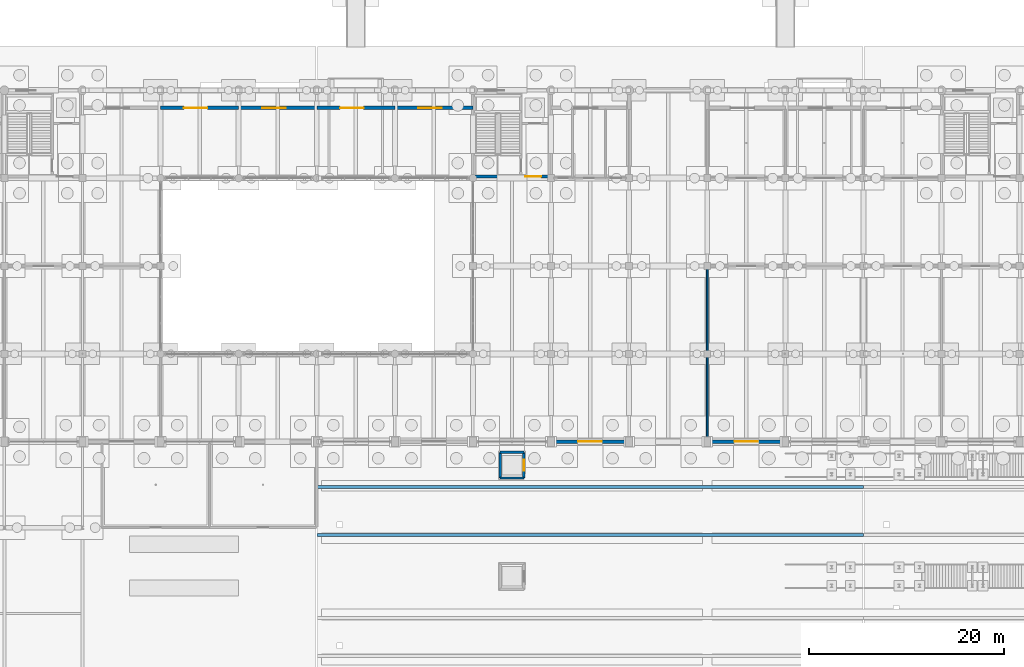
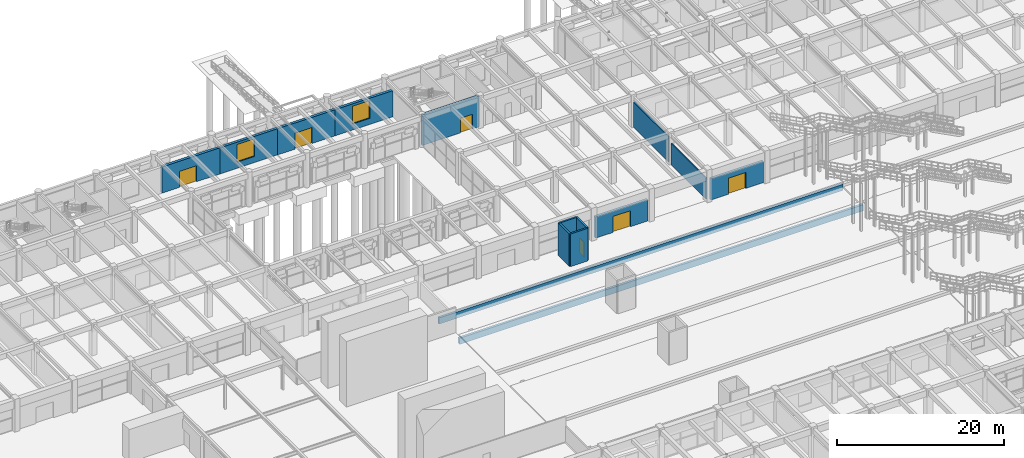
# One storey, part 107 of 147: 15 walls, 6 doors, 2 windows, 8 openings.
"""IFC4 building model written with IfcOpenShell, lengths in metres."""

from ifc_helpers import new_model, si_unit, direction, frame, frame_2d, origin, place, context, subcontext, project, spatial, rectangle, extrude, material, layer, layer_set, type_object, element, fill, save


model = new_model("IFC4")

# Units and contexts
model_context = context("Model", 3, precision=1e-05, world=origin(), true_north=direction((0.0, 1.0)))
body_context = subcontext(model_context, "Body", "Model", "MODEL_VIEW")
ifc_project = project(units=[si_unit("LENGTHUNIT", "METRE"), si_unit("AREAUNIT", "SQUARE_METRE"), si_unit("VOLUMEUNIT", "CUBIC_METRE"), si_unit("PLANEANGLEUNIT", "RADIAN"), si_unit("MASSUNIT", "GRAM", prefix="KILO")], contexts=[model_context])

# Site, building, storey
site_placement = place(None, origin())
site = spatial("IfcSite", under=ifc_project, at=site_placement, CompositionType="ELEMENT")
building_placement = place(site_placement, origin())
building = spatial("IfcBuilding", under=site, at=building_placement, Name="Varnabhumi Central Station", CompositionType="ELEMENT")
storey_placement = place(building_placement, origin())
storey = spatial("IfcBuildingStorey", under=building, at=storey_placement, Name="L00", CompositionType="ELEMENT", Elevation=0.0)

# Wall, opening, door
ifc_material_1 = material(Name="Concrete M40", Category="concrete")
ifc_layer_1 = layer(ifc_material_1, 0.300048828125, Name="Concrete M40", Category="concrete")
ifc_layer_set_1 = layer_set([ifc_layer_1], Name="Concrete M40")
wall_type_1 = type_object("IfcWallType", Name="WAL-CORE-RC-300", PredefinedType="SHEAR", material=ifc_layer_set_1)
wall_1_placement = place(storey_placement, frame((80.030029296875, 107.179931640625, 0.0), z_axis=(0.0, 0.0, 1.0), x_axis=(1.0, 0.0, 0.0)))
wall_1 = element("IfcWall", 1, at=wall_1_placement, inside=storey, type_object=wall_type_1, Name="NC2 L00 Corridor Shear Wall", PredefinedType="SHEAR", context=body_context, shape_type="SweptSolid", body=[
    extrude(rectangle(XDim=7.93994140625, YDim=0.300048828125, at=frame_2d((3.969970703125, 0.0))), origin(), (0.0, 0.0, 1.0), 4.52001953125),
])
opening_1_placement = place(wall_1_placement, frame((5.35009765625, 0.0, 0.0)))
opening_1 = element("IfcOpeningElement", 2, at=opening_1_placement, cuts=wall_1, Name="Opening FD-60D", PredefinedType="OPENING", context=body_context, shape_type="SweptSolid", body=[
    extrude(rectangle(XDim=1.60009765625, YDim=2.14990234375, at=frame_2d((0.800048828125, 1.074951171875))), frame((0.0, 0.159912109375, 0.0), z_axis=(0.0, -1.0, 0.0), x_axis=(1.0, 0.0, 0.0)), (0.0, 0.0, 1.0), 0.320068359375),
])
ifc_material_2 = material(Name="Intumescent-treated hardwood timber", Category="wood")
door_type_1 = type_object("IfcDoorType", Name="DR-FIRE-60-1600", OperationType="NOTDEFINED", PredefinedType="DOOR", material=ifc_material_2)
door_1_placement = place(opening_1_placement, frame((1.60009765625, 0.0, 0.0), z_axis=(0.0, 0.0, 1.0), x_axis=(-1.0, 0.0, 0.0)))
door_1 = element("IfcDoor", 3, at=door_1_placement, inside=storey, type_object=door_type_1, Name="NC2 L00 Lobby Fire Door", OperationType="DOUBLE_DOOR_SINGLE_SWING", OverallHeight=2.14990234375, OverallWidth=1.60009765625, PredefinedType="DOOR", context=body_context, shape_type="SweptSolid", body=[
    extrude(rectangle(XDim=1.60009765625, YDim=2.14990234375, at=frame_2d((0.800048828125, 1.074951171875))), frame((0.0, 0.02490234375, 0.0), z_axis=(0.0, -1.0, 0.0), x_axis=(1.0, 0.0, 0.0)), (0.0, 0.0, 1.0), 0.050048828125),
])
fill(opening_1, door_1)

ifc_material_3 = material(Name="Chunar sandstone masonry", Category="masonry")
ifc_layer_2 = layer(ifc_material_3, 0.360107421875, Name="Chunar sandstone masonry", Category="masonry")
ifc_layer_set_2 = layer_set([ifc_layer_2], Name="Chunar sandstone masonry")
wall_type_2 = type_object("IfcWallType", Name="WAL-EXT-SANDSTONE-360", PredefinedType="SOLIDWALL", material=ifc_layer_set_2)
wall_2_placement = place(storey_placement, frame((48.0, 114.199951171875, 0.0), z_axis=(0.0, 0.0, 1.0), x_axis=(1.0, 0.0, 0.0)))
wall_2 = element("IfcWall", 4, at=wall_2_placement, inside=storey, type_object=wall_type_2, Name="North Boulevard Wall L00-7", PredefinedType="SOLIDWALL", context=body_context, shape_type="SweptSolid", body=[
    extrude(rectangle(XDim=8.0, YDim=0.360107421875, at=frame_2d((4.0, 0.0))), origin(), (0.0, 0.0, 1.0), 3.840087890625),
])
opening_2_placement = place(wall_2_placement, frame((2.39990234375, 0.0, 0.0)))
opening_2 = element("IfcOpeningElement", 5, at=opening_2_placement, cuts=wall_2, Name="Opening ED-1", PredefinedType="OPENING", context=body_context, shape_type="SweptSolid", body=[
    extrude(rectangle(XDim=2.39990234375, YDim=2.35009765625, at=frame_2d((1.199951171875, 1.175048828125))), frame((0.0, 0.18994140625, 0.0), z_axis=(0.0, -1.0, 0.0), x_axis=(1.0, 0.0, 0.0)), (0.0, 0.0, 1.0), 0.380126953125),
])
ifc_material_4 = material(Name="Anodised aluminium 6063-T6", Category="aluminium")
door_type_2 = type_object("IfcDoorType", Name="DR-EXT-PORTAL-2400", OperationType="NOTDEFINED", PredefinedType="DOOR", material=ifc_material_4)
door_2_placement = place(opening_2_placement, origin())
door_2 = element("IfcDoor", 6, at=door_2_placement, inside=storey, type_object=door_type_2, Name="North Boulevard Portal Entrance 7", OperationType="DOUBLE_DOOR_SINGLE_SWING", OverallHeight=2.35009765625, OverallWidth=2.39990234375, PredefinedType="DOOR", context=body_context, shape_type="SweptSolid", body=[
    extrude(rectangle(XDim=2.39990234375, YDim=2.35009765625, at=frame_2d((1.199951171875, 1.175048828125))), frame((0.0, 0.02490234375, 0.0), z_axis=(0.0, -1.0, 0.0), x_axis=(1.0, 0.0, 0.0)), (0.0, 0.0, 1.0), 0.050048828125),
])
fill(opening_2, door_2)

# Wall, opening, window
wall_3_placement = place(storey_placement, frame((56.0, 114.199951171875, 0.0), z_axis=(0.0, 0.0, 1.0), x_axis=(1.0, 0.0, 0.0)))
wall_3 = element("IfcWall", 7, at=wall_3_placement, inside=storey, type_object=wall_type_2, Name="North Boulevard Wall L00-8", PredefinedType="SOLIDWALL", context=body_context, shape_type="SweptSolid", body=[
    extrude(rectangle(XDim=8.0, YDim=0.360107421875, at=frame_2d((4.0, 0.0))), origin(), (0.0, 0.0, 1.0), 3.840087890625),
])
opening_3_placement = place(wall_3_placement, frame((2.39990234375, 0.0, 0.89990234375)))
opening_3 = element("IfcOpeningElement", 8, at=opening_3_placement, cuts=wall_3, Name="Opening W-01", PredefinedType="OPENING", context=body_context, shape_type="SweptSolid", body=[
    extrude(rectangle(XDim=2.39990234375, YDim=2.60009765625, at=frame_2d((1.199951171875, 1.300048828125))), frame((0.0, 0.18994140625, 0.0), z_axis=(0.0, -1.0, 0.0), x_axis=(1.0, 0.0, 0.0)), (0.0, 0.0, 1.0), 0.380126953125),
])
ifc_material_5 = material(Name="Laminated low-E double glazing", Category="glass")
window_type = type_object("IfcWindowType", Name="WIN-ARCADE-2400x2600", PartitioningType="DOUBLE_PANEL_VERTICAL", PredefinedType="WINDOW", material=ifc_material_5)
window_1_placement = place(opening_3_placement, origin())
window_1 = element("IfcWindow", 9, at=window_1_placement, inside=storey, type_object=window_type, Name="North Arcade Window L00-8", OverallHeight=2.60009765625, OverallWidth=2.39990234375, PartitioningType="SINGLE_PANEL", PredefinedType="WINDOW", context=body_context, shape_type="SweptSolid", body=[
    extrude(rectangle(XDim=2.39990234375, YDim=2.60009765625, at=frame_2d((1.199951171875, 1.300048828125))), frame((0.0, 0.030029296875, 0.0), z_axis=(0.0, -1.0, 0.0), x_axis=(1.0, 0.0, 0.0)), (0.0, 0.0, 1.0), 0.06005859375),
])
fill(opening_3, window_1)

# Wall, opening, door
wall_4_placement = place(storey_placement, frame((64.0, 114.199951171875, 0.0), z_axis=(0.0, 0.0, 1.0), x_axis=(1.0, 0.0, 0.0)))
wall_4 = element("IfcWall", 10, at=wall_4_placement, inside=storey, type_object=wall_type_2, Name="North Boulevard Wall L00-9", PredefinedType="SOLIDWALL", context=body_context, shape_type="SweptSolid", body=[
    extrude(rectangle(XDim=8.0, YDim=0.360107421875, at=frame_2d((4.0, 0.0))), origin(), (0.0, 0.0, 1.0), 3.840087890625),
])
opening_4_placement = place(wall_4_placement, frame((2.39990234375, 0.0, 0.0)))
opening_4 = element("IfcOpeningElement", 11, at=opening_4_placement, cuts=wall_4, Name="Opening ED-1", PredefinedType="OPENING", context=body_context, shape_type="SweptSolid", body=[
    extrude(rectangle(XDim=2.39990234375, YDim=2.35009765625, at=frame_2d((1.199951171875, 1.175048828125))), frame((0.0, 0.18994140625, 0.0), z_axis=(0.0, -1.0, 0.0), x_axis=(1.0, 0.0, 0.0)), (0.0, 0.0, 1.0), 0.380126953125),
])
door_3_placement = place(opening_4_placement, origin())
door_3 = element("IfcDoor", 12, at=door_3_placement, inside=storey, type_object=door_type_2, Name="North Boulevard Portal Entrance 9", OperationType="DOUBLE_DOOR_SINGLE_SWING", OverallHeight=2.35009765625, OverallWidth=2.39990234375, PredefinedType="DOOR", context=body_context, shape_type="SweptSolid", body=[
    extrude(rectangle(XDim=2.39990234375, YDim=2.35009765625, at=frame_2d((1.199951171875, 1.175048828125))), frame((0.0, 0.02490234375, 0.0), z_axis=(0.0, -1.0, 0.0), x_axis=(1.0, 0.0, 0.0)), (0.0, 0.0, 1.0), 0.050048828125),
])
fill(opening_4, door_3)

# Wall, opening, window
wall_5_placement = place(storey_placement, frame((72.0, 114.199951171875, 0.0), z_axis=(0.0, 0.0, 1.0), x_axis=(1.0, 0.0, 0.0)))
wall_5 = element("IfcWall", 13, at=wall_5_placement, inside=storey, type_object=wall_type_2, Name="North Boulevard Wall L00-10", PredefinedType="SOLIDWALL", context=body_context, shape_type="SweptSolid", body=[
    extrude(rectangle(XDim=8.0, YDim=0.360107421875, at=frame_2d((4.0, 0.0))), origin(), (0.0, 0.0, 1.0), 3.840087890625),
])
opening_5_placement = place(wall_5_placement, frame((2.39990234375, 0.0, 0.89990234375)))
opening_5 = element("IfcOpeningElement", 14, at=opening_5_placement, cuts=wall_5, Name="Opening W-01", PredefinedType="OPENING", context=body_context, shape_type="SweptSolid", body=[
    extrude(rectangle(XDim=2.39990234375, YDim=2.60009765625, at=frame_2d((1.199951171875, 1.300048828125))), frame((0.0, 0.18994140625, 0.0), z_axis=(0.0, -1.0, 0.0), x_axis=(1.0, 0.0, 0.0)), (0.0, 0.0, 1.0), 0.380126953125),
])
window_2_placement = place(opening_5_placement, origin())
window_2 = element("IfcWindow", 15, at=window_2_placement, inside=storey, type_object=window_type, Name="North Arcade Window L00-10", OverallHeight=2.60009765625, OverallWidth=2.39990234375, PartitioningType="SINGLE_PANEL", PredefinedType="WINDOW", context=body_context, shape_type="SweptSolid", body=[
    extrude(rectangle(XDim=2.39990234375, YDim=2.60009765625, at=frame_2d((1.199951171875, 1.300048828125))), frame((0.0, 0.030029296875, 0.0), z_axis=(0.0, -1.0, 0.0), x_axis=(1.0, 0.0, 0.0)), (0.0, 0.0, 1.0), 0.06005859375),
])
fill(opening_5, window_2)

# Wall, opening, door
wall_6_placement = place(storey_placement, frame((88.344970703125, 80.0, 0.0), z_axis=(0.0, 0.0, 1.0), x_axis=(1.0, 0.0, 0.0)))
wall_6 = element("IfcWall", 16, at=wall_6_placement, inside=storey, type_object=wall_type_2, Name="North Spine Wall L00-12", PredefinedType="SOLIDWALL", context=body_context, shape_type="SweptSolid", body=[
    extrude(rectangle(XDim=7.31005859375, YDim=0.360107421875, at=frame_2d((3.655029296875, 0.0))), origin(), (0.0, 0.0, 1.0), 3.110107421875),
])
opening_6_placement = place(wall_6_placement, frame((2.455078125, 0.0, 0.0)))
opening_6 = element("IfcOpeningElement", 17, at=opening_6_placement, cuts=wall_6, Name="Opening ED-1", PredefinedType="OPENING", context=body_context, shape_type="SweptSolid", body=[
    extrude(rectangle(XDim=2.39990234375, YDim=2.35009765625, at=frame_2d((1.199951171875, 1.175048828125))), frame((0.0, 0.18994140625, 0.0), z_axis=(0.0, -1.0, 0.0), x_axis=(1.0, 0.0, 0.0)), (0.0, 0.0, 1.0), 0.380126953125),
])
door_4_placement = place(opening_6_placement, frame((2.39990234375, 0.0, 0.0), z_axis=(0.0, 0.0, 1.0), x_axis=(-1.0, 0.0, 0.0)))
door_4 = element("IfcDoor", 18, at=door_4_placement, inside=storey, type_object=door_type_2, Name="North Spine Portal Door L00-12", OperationType="DOUBLE_DOOR_SINGLE_SWING", OverallHeight=2.35009765625, OverallWidth=2.39990234375, PredefinedType="DOOR", context=body_context, shape_type="SweptSolid", body=[
    extrude(rectangle(XDim=2.39990234375, YDim=2.35009765625, at=frame_2d((1.199951171875, 1.175048828125))), frame((0.0, 0.02490234375, 0.0), z_axis=(0.0, -1.0, 0.0), x_axis=(1.0, 0.0, 0.0)), (0.0, 0.0, 1.0), 0.050048828125),
])
fill(opening_6, door_4)

wall_7_placement = place(storey_placement, frame((104.344970703125, 80.0, 0.0), z_axis=(0.0, 0.0, 1.0), x_axis=(1.0, 0.0, 0.0)))
wall_7 = element("IfcWall", 19, at=wall_7_placement, inside=storey, type_object=wall_type_2, Name="North Spine Wall L00-14", PredefinedType="SOLIDWALL", context=body_context, shape_type="SweptSolid", body=[
    extrude(rectangle(XDim=7.31005859375, YDim=0.360107421875, at=frame_2d((3.655029296875, 0.0))), origin(), (0.0, 0.0, 1.0), 3.110107421875),
])
opening_7_placement = place(wall_7_placement, frame((2.455078125, 0.0, 0.0)))
opening_7 = element("IfcOpeningElement", 20, at=opening_7_placement, cuts=wall_7, Name="Opening ED-1", PredefinedType="OPENING", context=body_context, shape_type="SweptSolid", body=[
    extrude(rectangle(XDim=2.39990234375, YDim=2.35009765625, at=frame_2d((1.199951171875, 1.175048828125))), frame((0.0, 0.18994140625, 0.0), z_axis=(0.0, -1.0, 0.0), x_axis=(1.0, 0.0, 0.0)), (0.0, 0.0, 1.0), 0.380126953125),
])
door_5_placement = place(opening_7_placement, frame((2.39990234375, 0.0, 0.0), z_axis=(0.0, 0.0, 1.0), x_axis=(-1.0, 0.0, 0.0)))
door_5 = element("IfcDoor", 21, at=door_5_placement, inside=storey, type_object=door_type_2, Name="North Spine Portal Door L00-14", OperationType="DOUBLE_DOOR_SINGLE_SWING", OverallHeight=2.35009765625, OverallWidth=2.39990234375, PredefinedType="DOOR", context=body_context, shape_type="SweptSolid", body=[
    extrude(rectangle(XDim=2.39990234375, YDim=2.35009765625, at=frame_2d((1.199951171875, 1.175048828125))), frame((0.0, 0.02490234375, 0.0), z_axis=(0.0, -1.0, 0.0), x_axis=(1.0, 0.0, 0.0)), (0.0, 0.0, 1.0), 0.050048828125),
])
fill(opening_7, door_5)

# Walls
ifc_material_6 = material(Name="Autoclaved aerated blockwork masonry", Category="masonry")
ifc_layer_3 = layer(ifc_material_6, 0.159912109375, Name="Autoclaved aerated blockwork masonry", Category="masonry")
ifc_layer_set_3 = layer_set([ifc_layer_3], Name="Autoclaved aerated blockwork masonry")
wall_type_3 = type_object("IfcWallType", Name="WAL-PART-AAC-160", PredefinedType="PARTITIONING", material=ifc_layer_set_3)
wall_8_placement = place(storey_placement, frame((104.0, 80.300048828125, 0.0), z_axis=(0.0, 0.0, 1.0), x_axis=(0.0, 1.0, 0.0)))
element("IfcWall", 22, at=wall_8_placement, inside=storey, type_object=wall_type_3, Name="Forecourt Espresso and Snack Bar E Partition 1", PredefinedType="PARTITIONING", context=body_context, shape_type="SweptSolid", body=[
    extrude(rectangle(XDim=8.39990234375, YDim=0.159912109375, at=frame_2d((4.199951171875, 0.0))), origin(), (0.0, 0.0, 1.0), 3.110107421875),
])
wall_9_placement = place(storey_placement, frame((104.0, 89.300048828125, 0.0), z_axis=(0.0, 0.0, 1.0), x_axis=(0.0, 1.0, 0.0)))
element("IfcWall", 23, at=wall_9_placement, inside=storey, type_object=wall_type_3, Name="Forecourt Espresso and Snack Bar E Partition 2", PredefinedType="PARTITIONING", context=body_context, shape_type="SweptSolid", body=[
    extrude(rectangle(XDim=8.39990234375, YDim=0.159912109375, at=frame_2d((4.199951171875, 0.0))), origin(), (0.0, 0.0, 1.0), 3.699951171875),
])
ifc_layer_4 = layer(ifc_material_1, 0.320068359375, Name="Concrete M40", Category="concrete")
ifc_layer_set_4 = layer_set([ifc_layer_4], Name="Concrete M40")
wall_type_4 = type_object("IfcWallType", Name="WAL-PLAT-RET-320", PredefinedType="USERDEFINED", material=ifc_layer_set_4)
for number, where, z_axis, x_axis, name in (
    (24, (64.0, 70.43994140625, -1.2548828125), (0.0, 0.0, 1.0), (1.0, 0.0, 0.0), "Platform 3 Retaining Wall N1"),
    (25, (64.0, 75.360107421875, -1.2548828125), (0.0, 0.0, 1.0), (1.0, 0.0, 0.0), "Platform 4 Retaining Wall S1"),
):
    element("IfcWall", number, at=place(storey_placement, frame(where, z_axis=z_axis, x_axis=x_axis)), inside=storey, type_object=wall_type_4, Name=name, ObjectType="RETAINING WALL", PredefinedType="USERDEFINED", context=body_context, shape_type="SweptSolid", body=[
        extrude(rectangle(XDim=56.0, YDim=0.320068359375, at=frame_2d((28.0, 0.0))), origin(), (0.0, 0.0, 1.0), 0.90478515625),
    ])
ifc_layer_5 = layer(ifc_material_1, 0.239990234375, Name="Concrete M40", Category="concrete")
ifc_layer_set_5 = layer_set([ifc_layer_5], Name="Concrete M40")
wall_type_5 = type_object("IfcWallType", Name="WAL-SHAFT-RC-240", PredefinedType="SHEAR", material=ifc_layer_set_5)
wall_10_placement = place(storey_placement, frame((82.780029296875, 76.280029296875, 0.0), z_axis=(0.0, 0.0, 1.0), x_axis=(0.0, 1.0, 0.0)))
element("IfcWall", 26, at=wall_10_placement, inside=storey, type_object=wall_type_5, Name="PL-4 L00 Shaft West Wall", PredefinedType="SHEAR", context=body_context, shape_type="SweptSolid", body=[
    extrude(rectangle(XDim=2.639892578125, YDim=0.239990234375, at=frame_2d((1.31982421875, 0.0))), origin(), (0.0, 0.0, 1.0), 4.800048828125),
])
for number, where, z_axis, x_axis, name in (
    (27, (82.780029296875, 76.280029296875, 0.0), (0.0, 0.0, 1.0), (1.0, 0.0, 0.0), "PL-4 L00 Shaft South Wall"),
    (28, (82.780029296875, 78.919921875, 0.0), (0.0, 0.0, 1.0), (1.0, 0.0, 0.0), "PL-4 L00 Shaft North Wall"),
):
    element("IfcWall", number, at=place(storey_placement, frame(where, z_axis=z_axis, x_axis=x_axis)), inside=storey, type_object=wall_type_5, Name=name, PredefinedType="SHEAR", context=body_context, shape_type="SweptSolid", body=[
        extrude(rectangle(XDim=2.43994140625, YDim=0.239990234375, at=frame_2d((1.219970703125, 0.0))), origin(), (0.0, 0.0, 1.0), 4.800048828125),
    ])

# Wall, opening, door
wall_11_placement = place(storey_placement, frame((85.219970703125, 76.280029296875, 0.0), z_axis=(0.0, 0.0, 1.0), x_axis=(0.0, 1.0, 0.0)))
wall_11 = element("IfcWall", 29, at=wall_11_placement, inside=storey, type_object=wall_type_5, Name="PL-4 L00 Shaft Front Wall", PredefinedType="SHEAR", context=body_context, shape_type="SweptSolid", body=[
    extrude(rectangle(XDim=2.639892578125, YDim=0.239990234375, at=frame_2d((1.31982421875, 0.0))), origin(), (0.0, 0.0, 1.0), 4.800048828125),
])
opening_8_placement = place(wall_11_placement, frame((0.77001953125, 0.0, 0.0)))
opening_8 = element("IfcOpeningElement", 30, at=opening_8_placement, cuts=wall_11, Name="Opening LD-PL-4", PredefinedType="OPENING", context=body_context, shape_type="SweptSolid", body=[
    extrude(rectangle(XDim=1.10009765625, YDim=2.14990234375, at=frame_2d((0.550048828125, 1.074951171875))), frame((0.0, 0.1298828125, 0.0), z_axis=(0.0, -1.0, 0.0), x_axis=(1.0, 0.0, 0.0)), (0.0, 0.0, 1.0), 0.260009765625),
])
ifc_material_7 = material(Name="Stainless steel Grade 316", Category="steel")
door_type_3 = type_object("IfcDoorType", Name="DR-LIFT-PASS-1100", OperationType="NOTDEFINED", PredefinedType="DOOR", material=ifc_material_7)
door_6_placement = place(opening_8_placement, origin())
door_6 = element("IfcDoor", 31, at=door_6_placement, inside=storey, type_object=door_type_3, Name="Lift Landing Door PL-4 L00", OperationType="DOUBLE_DOOR_SLIDING", OverallHeight=2.14990234375, OverallWidth=1.10009765625, PredefinedType="DOOR", context=body_context, shape_type="SweptSolid", body=[
    extrude(rectangle(XDim=1.10009765625, YDim=2.14990234375, at=frame_2d((0.550048828125, 1.074951171875))), frame((0.0, 0.02490234375, 0.0), z_axis=(0.0, -1.0, 0.0), x_axis=(1.0, 0.0, 0.0)), (0.0, 0.0, 1.0), 0.050048828125),
])
fill(opening_8, door_6)

save(model, "model.ifc")
